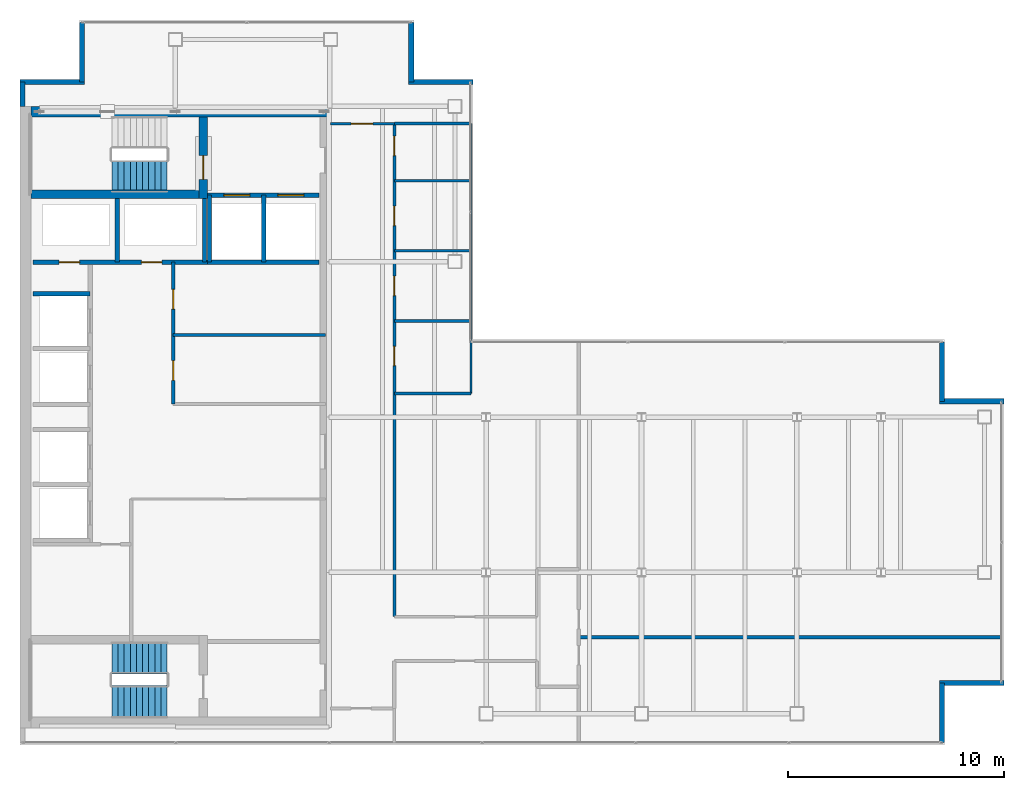
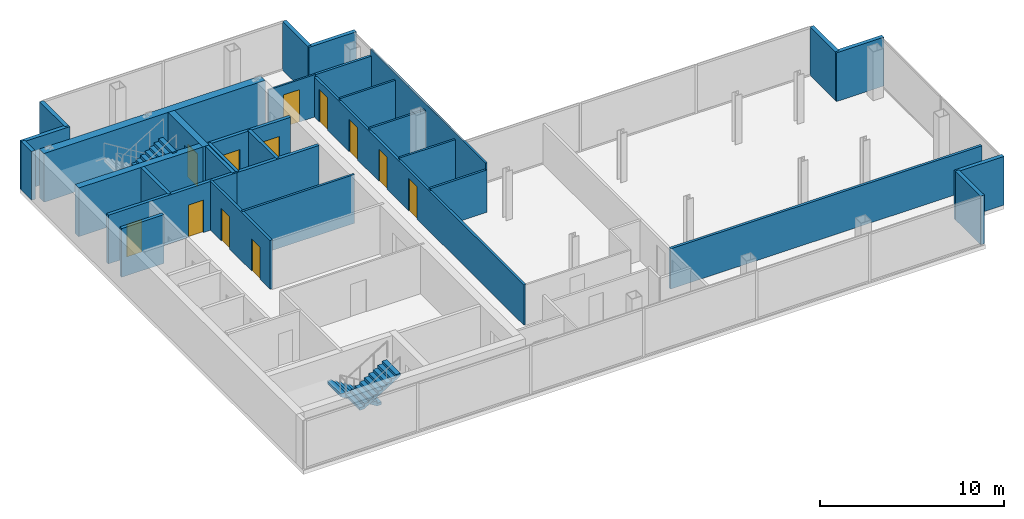
# One storey, part 22 of 24: 31 walls, 12 doors, 3 stair flights, 12 openings, 2 elements without a shape of their own.
"""IFC4 building model written with IfcOpenShell, lengths in metres."""

from ifc_helpers import new_model, si_unit, direction, frame, frame_2d, origin, place, context, subcontext, project, spatial, polyline, rectangle, outline, extrude, material, layer, layer_set, type_object, element, fill, aggregate, save


model = new_model("IFC4")

# Units and contexts
model_context = context("Model", 3, precision=1e-05, world=origin(), true_north=direction((0.0, 1.0)))
body_context = subcontext(model_context, "Body", "Model", "MODEL_VIEW")
ifc_project = project(units=[si_unit("LENGTHUNIT", "METRE"), si_unit("AREAUNIT", "SQUARE_METRE"), si_unit("VOLUMEUNIT", "CUBIC_METRE"), si_unit("PLANEANGLEUNIT", "RADIAN"), si_unit("MASSUNIT", "GRAM", prefix="KILO")], contexts=[model_context])

# Site, building, storey
site_placement = place(None, origin())
site = spatial("IfcSite", under=ifc_project, at=site_placement, CompositionType="ELEMENT")
building_placement = place(site_placement, origin())
building = spatial("IfcBuilding", under=site, at=building_placement, Name="Cobrela Telecom Tower", CompositionType="ELEMENT")
storey_placement = place(building_placement, frame((0.0, 0.0, 244.64990234375)))
storey = spatial("IfcBuildingStorey", under=building, at=storey_placement, Name="L63", CompositionType="ELEMENT", Elevation=244.64990234375)

# Walls
ifc_material_1 = material(Name="Concrete C40/50", Category="concrete")
ifc_layer_1 = layer(ifc_material_1, 0.5)
ifc_layer_set_1 = layer_set([ifc_layer_1], Name="Concrete C40/50")
wall_type_1 = type_object("IfcWallType", Name="WALL-CORE-C40-500", PredefinedType="SHEAR", material=ifc_layer_set_1)
wall_1_placement = place(storey_placement, frame((0.5, 35.75, 0.0), z_axis=(0.0, 0.0, 1.0), x_axis=(1.0, 0.0, 0.0)))
element("IfcWall", 1, at=wall_1_placement, inside=storey, type_object=wall_type_1, Name="L63 North Core Shear Wall", PredefinedType="SHEAR", context=body_context, shape_type="SweptSolid", body=[
    extrude(rectangle(XDim=13.89990234375, YDim=0.5, at=frame_2d((6.949951171875, 0.0))), origin(), (0.0, 0.0, 1.0), 3.239990234375),
])
ifc_layer_2 = layer(ifc_material_1, 0.239990234375)
ifc_layer_set_2 = layer_set([ifc_layer_2], Name="Concrete C40/50")
wall_type_2 = type_object("IfcWallType", Name="WALL-EXT-300", PredefinedType="STANDARD", material=ifc_layer_set_2)
wall_2_placement = place(storey_placement, frame((0.1201171875, 36.0, 0.0), z_axis=(0.0, 0.0, 1.0), x_axis=(0.0, 1.0, 0.0)))
element("IfcWall", 2, at=wall_2_placement, inside=storey, type_object=wall_type_2, Name="L63 Insulated Facade Wall 02", PredefinedType="STANDARD", context=body_context, shape_type="SweptSolid", body=[
    extrude(rectangle(XDim=1.1298828125, YDim=0.239990234375, at=frame_2d((0.56494140625, 0.0))), origin(), (0.0, 0.0, 1.0), 3.239990234375),
])
wall_3_placement = place(storey_placement, frame((0.0, 37.1298828125, 0.0), z_axis=(0.0, 0.0, 1.0), x_axis=(1.0, 0.0, 0.0)))
element("IfcWall", 3, at=wall_3_placement, inside=storey, type_object=wall_type_2, Name="L63 Insulated Facade Wall 03", PredefinedType="STANDARD", context=body_context, shape_type="SweptSolid", body=[
    extrude(rectangle(XDim=2.989990234375, YDim=0.239990234375, at=frame_2d((1.4951171875, 0.0))), origin(), (0.0, 0.0, 1.0), 3.239990234375),
])
for number, where, z_axis, x_axis, name in (
    (4, (2.8701171875, 37.1298828125, 0.0), (0.0, 0.0, 1.0), (0.0, 1.0, 0.0), "L63 Insulated Facade Wall 04"),
    (5, (18.1298828125, 39.8798828125, 0.0), (0.0, 0.0, 1.0), (0.0, -1.0, 0.0), "L63 Insulated Facade Wall 06"),
):
    element("IfcWall", number, at=place(storey_placement, frame(where, z_axis=z_axis, x_axis=x_axis)), inside=storey, type_object=wall_type_2, Name=name, PredefinedType="STANDARD", context=body_context, shape_type="SweptSolid", body=[
        extrude(rectangle(XDim=2.75, YDim=0.239990234375, at=frame_2d((1.375, 0.0))), origin(), (0.0, 0.0, 1.0), 3.239990234375),
    ])
wall_4_placement = place(storey_placement, frame((18.010009765625, 37.1298828125, 0.0), z_axis=(0.0, 0.0, 1.0), x_axis=(1.0, 0.0, 0.0)))
element("IfcWall", 6, at=wall_4_placement, inside=storey, type_object=wall_type_2, Name="L63 Insulated Facade Wall 07", PredefinedType="STANDARD", context=body_context, shape_type="SweptSolid", body=[
    extrude(rectangle(XDim=2.989990234375, YDim=0.239990234375, at=frame_2d((1.4951171875, 0.0))), origin(), (0.0, 0.0, 1.0), 3.239990234375),
])
wall_5_placement = place(storey_placement, frame((42.72998046875, 25.080078125, 0.0), z_axis=(0.0, 0.0, 1.0), x_axis=(0.0, -1.0, 0.0)))
element("IfcWall", 7, at=wall_5_placement, inside=storey, type_object=wall_type_2, Name="L63 Insulated Facade Wall 10", PredefinedType="STANDARD", context=body_context, shape_type="SweptSolid", body=[
    extrude(rectangle(XDim=2.75, YDim=0.239990234375, at=frame_2d((1.375, 0.0))), origin(), (0.0, 0.0, 1.0), 3.239990234375),
])
for number, where, z_axis, x_axis, name in (
    (8, (42.610107421875, 22.330078125, 0.0), (0.0, 0.0, 1.0), (1.0, 0.0, 0.0), "L63 Insulated Facade Wall 11"),
    (9, (45.60009765625, 9.27001953125, 0.0), (0.0, 0.0, 1.0), (-1.0, 0.0, 0.0), "L63 Insulated Facade Wall 13"),
):
    element("IfcWall", number, at=place(storey_placement, frame(where, z_axis=z_axis, x_axis=x_axis)), inside=storey, type_object=wall_type_2, Name=name, PredefinedType="STANDARD", context=body_context, shape_type="SweptSolid", body=[
        extrude(rectangle(XDim=2.989990234375, YDim=0.239990234375, at=frame_2d((1.4951171875, 0.0))), origin(), (0.0, 0.0, 1.0), 3.239990234375),
    ])
wall_6_placement = place(storey_placement, frame((42.72998046875, 9.27001953125, 0.0), z_axis=(0.0, 0.0, 1.0), x_axis=(0.0, -1.0, 0.0)))
element("IfcWall", 10, at=wall_6_placement, inside=storey, type_object=wall_type_2, Name="L63 Insulated Facade Wall 14", PredefinedType="STANDARD", context=body_context, shape_type="SweptSolid", body=[
    extrude(rectangle(XDim=2.75, YDim=0.239990234375, at=frame_2d((1.375, 0.0))), origin(), (0.0, 0.0, 1.0), 3.239990234375),
])

# Wall, opening, door
ifc_material_2 = material(Name="Fire-Rated Gypsum Plasterboard")
ifc_layer_3 = layer(ifc_material_2, 0.110107421875)
ifc_layer_set_3 = layer_set([ifc_layer_3], Name="Fire-Rated Gypsum Plasterboard")
wall_type_3 = type_object("IfcWallType", Name="WALL-PART-110", PredefinedType="PARTITIONING", material=ifc_layer_set_3)
wall_7_placement = place(storey_placement, frame((14.39990234375, 35.199951171875, 0.0), z_axis=(0.0, 0.0, 1.0), x_axis=(1.0, 0.0, 0.0)))
wall_7 = element("IfcWall", 11, at=wall_7_placement, inside=storey, type_object=wall_type_3, Name="L63 Interior Partition W-C-N0", PredefinedType="PARTITIONING", context=body_context, shape_type="SweptSolid", body=[
    extrude(rectangle(XDim=2.9501953125, YDim=0.110107421875, at=frame_2d((1.47509765625, 0.0))), origin(), (0.0, 0.0, 1.0), 2.80810546875),
])
opening_1_placement = place(wall_7_placement, frame((0.949951171875, 0.0, 0.0)))
opening_1 = element("IfcOpeningElement", 12, at=opening_1_placement, cuts=wall_7, Name="Opening DR-31", PredefinedType="OPENING", context=body_context, shape_type="SweptSolid", body=[
    extrude(rectangle(XDim=1.0, YDim=2.14990234375, at=frame_2d((0.5, 1.074951171875))), frame((0.0, 0.06689453125, 0.0), z_axis=(0.0, -1.0, 0.0), x_axis=(1.0, 0.0, 0.0)), (0.0, 0.0, 1.0), 0.134033203125),
])
ifc_material_3 = material(Name="Solid Engineered Oak Timber", Category="wood")
door_type_1 = type_object("IfcDoorType", Name="DOOR-INT-1000", OperationType="SINGLE_SWING_LEFT", PredefinedType="DOOR", material=ifc_material_3)
door_1_placement = place(opening_1_placement, origin())
door_1 = element("IfcDoor", 13, at=door_1_placement, inside=storey, type_object=door_type_1, Name="L63 Door DR-31", OperationType="SINGLE_SWING_LEFT", OverallHeight=2.14990234375, OverallWidth=1.0, PredefinedType="DOOR", context=body_context, shape_type="SweptSolid", body=[
    extrude(rectangle(XDim=1.0, YDim=2.14990234375, at=frame_2d((0.5, 1.074951171875))), frame((0.0, 0.02490234375, 0.0), z_axis=(0.0, -1.0, 0.0), x_axis=(1.0, 0.0, 0.0)), (0.0, 0.0, 1.0), 0.050048828125),
])
fill(opening_1, door_1)

# Walls
wall_8_placement = place(storey_placement, frame((20.89990234375, 22.699951171875, 0.0), z_axis=(0.0, 0.0, 1.0), x_axis=(0.0, 1.0, 0.0)))
element("IfcWall", 14, at=wall_8_placement, inside=storey, type_object=wall_type_3, Name="L63 Interior Partition W-WC-E", PredefinedType="PARTITIONING", context=body_context, shape_type="SweptSolid", body=[
    extrude(rectangle(XDim=12.5, YDim=0.110107421875, at=frame_2d((6.25, 0.0))), origin(), (0.0, 0.0, 1.0), 3.239990234375),
])
ifc_layer_4 = layer(ifc_material_2, 0.125)
ifc_layer_set_4 = layer_set([ifc_layer_4], Name="Fire-Rated Gypsum Plasterboard")
wall_type_4 = type_object("IfcWallType", Name="WALL-PART-125", PredefinedType="PARTITIONING", material=ifc_layer_set_4)
for number, where, z_axis, x_axis, name in (
    (15, (17.35009765625, 26.050048828125, 0.0), (0.0, 0.0, 1.0), (1.0, 0.0, 0.0), "L63 Interior Partition W-WCD-1"),
    (16, (17.35009765625, 29.300048828125, 0.0), (0.0, 0.0, 1.0), (1.0, 0.0, 0.0), "L63 Interior Partition W-WCD-2"),
    (17, (17.35009765625, 32.550048828125, 0.0), (0.0, 0.0, 1.0), (1.0, 0.0, 0.0), "L63 Interior Partition W-WCD-3"),
):
    element("IfcWall", number, at=place(storey_placement, frame(where, z_axis=z_axis, x_axis=x_axis)), inside=storey, type_object=wall_type_4, Name=name, PredefinedType="PARTITIONING", context=body_context, shape_type="SweptSolid", body=[
        extrude(rectangle(XDim=3.5498046875, YDim=0.125, at=frame_2d((1.77490234375, 0.0))), origin(), (0.0, 0.0, 1.0), 2.80810546875),
    ])
ifc_layer_5 = layer(ifc_material_2, 0.135009765625)
ifc_layer_set_5 = layer_set([ifc_layer_5], Name="Fire-Rated Gypsum Plasterboard")
wall_type_5 = type_object("IfcWallType", Name="WALL-PART-135", PredefinedType="PARTITIONING", material=ifc_layer_set_5)
wall_9_placement = place(storey_placement, frame((7.10009765625, 25.39990234375, 0.0), z_axis=(0.0, 0.0, 1.0), x_axis=(1.0, 0.0, 0.0)))
element("IfcWall", 18, at=wall_9_placement, inside=storey, type_object=wall_type_5, Name="L63 Interior Partition CW-RECL-H", PredefinedType="PARTITIONING", context=body_context, shape_type="SweptSolid", body=[
    extrude(rectangle(XDim=7.0498046875, YDim=0.135009765625, at=frame_2d((3.52490234375, 0.0))), origin(), (0.0, 0.0, 1.0), 3.239990234375),
])
wall_10_placement = place(storey_placement, frame((17.35009765625, 22.699951171875, 0.0), z_axis=(0.0, 0.0, 1.0), x_axis=(1.0, 0.0, 0.0)))
element("IfcWall", 19, at=wall_10_placement, inside=storey, type_object=wall_type_5, Name="L63 Interior Partition W-WC-S", PredefinedType="PARTITIONING", context=body_context, shape_type="SweptSolid", body=[
    extrude(rectangle(XDim=3.5498046875, YDim=0.135009765625, at=frame_2d((1.77490234375, 0.0))), origin(), (0.0, 0.0, 1.0), 2.80810546875),
])

# Wall, openings, doors
ifc_layer_6 = layer(ifc_material_2, 0.14990234375)
ifc_layer_set_6 = layer_set([ifc_layer_6], Name="Fire-Rated Gypsum Plasterboard")
wall_type_6 = type_object("IfcWallType", Name="WALL-PART-150", PredefinedType="PARTITIONING", material=ifc_layer_set_6)
wall_11_placement = place(storey_placement, frame((17.35009765625, 12.35009765625, 0.0), z_axis=(0.0, 0.0, 1.0), x_axis=(0.0, 1.0, 0.0)))
wall_11 = element("IfcWall", 20, at=wall_11_placement, inside=storey, type_object=wall_type_6, Name="L63 Interior Partition W-C-E2", PredefinedType="PARTITIONING", context=body_context, shape_type="SweptSolid", body=[
    extrude(rectangle(XDim=22.849853515625, YDim=0.14990234375, at=frame_2d((11.4248046875, 0.0))), origin(), (0.0, 0.0, 1.0), 2.676025390625),
])
opening_2_placement = place(wall_11_placement, frame((11.6298828125, 0.0, 0.0)))
opening_2 = element("IfcOpeningElement", 21, at=opening_2_placement, cuts=wall_11, Name="Opening DR-41", PredefinedType="OPENING", context=body_context, shape_type="SweptSolid", body=[
    extrude(rectangle(XDim=0.89990234375, YDim=2.14990234375, at=frame_2d((0.449951171875, 1.074951171875))), frame((0.0, 0.0869140625, 0.0), z_axis=(0.0, -1.0, 0.0), x_axis=(1.0, 0.0, 0.0)), (0.0, 0.0, 1.0), 0.173828125),
])
opening_3_placement = place(wall_11_placement, frame((14.8798828125, 0.0, 0.0)))
opening_3 = element("IfcOpeningElement", 22, at=opening_3_placement, cuts=wall_11, Name="Opening DR-41", PredefinedType="OPENING", context=body_context, shape_type="SweptSolid", body=[
    extrude(rectangle(XDim=0.89990234375, YDim=2.14990234375, at=frame_2d((0.449951171875, 1.074951171875))), frame((0.0, 0.0869140625, 0.0), z_axis=(0.0, -1.0, 0.0), x_axis=(1.0, 0.0, 0.0)), (0.0, 0.0, 1.0), 0.173828125),
])
opening_4_placement = place(wall_11_placement, frame((18.1201171875, 0.0, 0.0)))
opening_4 = element("IfcOpeningElement", 23, at=opening_4_placement, cuts=wall_11, Name="Opening DR-41", PredefinedType="OPENING", context=body_context, shape_type="SweptSolid", body=[
    extrude(rectangle(XDim=0.89990234375, YDim=2.14990234375, at=frame_2d((0.449951171875, 1.074951171875))), frame((0.0, 0.0869140625, 0.0), z_axis=(0.0, -1.0, 0.0), x_axis=(1.0, 0.0, 0.0)), (0.0, 0.0, 1.0), 0.173828125),
])
opening_5_placement = place(wall_11_placement, frame((21.3701171875, 0.0, 0.0)))
opening_5 = element("IfcOpeningElement", 24, at=opening_5_placement, cuts=wall_11, Name="Opening DR-41", PredefinedType="OPENING", context=body_context, shape_type="SweptSolid", body=[
    extrude(rectangle(XDim=0.89990234375, YDim=2.14990234375, at=frame_2d((0.449951171875, 1.074951171875))), frame((0.0, 0.0869140625, 0.0), z_axis=(0.0, -1.0, 0.0), x_axis=(1.0, 0.0, 0.0)), (0.0, 0.0, 1.0), 0.173828125),
])
door_type_2 = type_object("IfcDoorType", Name="DOOR-INT-900", OperationType="SINGLE_SWING_LEFT", PredefinedType="DOOR", material=ifc_material_3)
door_2_placement = place(opening_2_placement, origin())
door_2 = element("IfcDoor", 25, at=door_2_placement, inside=storey, type_object=door_type_2, Name="L63 Door DR-41", OperationType="SINGLE_SWING_LEFT", OverallHeight=2.14990234375, OverallWidth=0.89990234375, PredefinedType="DOOR", context=body_context, shape_type="SweptSolid", body=[
    extrude(rectangle(XDim=0.89990234375, YDim=2.14990234375, at=frame_2d((0.449951171875, 1.074951171875))), frame((0.0, 0.02490234375, 0.0), z_axis=(0.0, -1.0, 0.0), x_axis=(1.0, 0.0, 0.0)), (0.0, 0.0, 1.0), 0.050048828125),
])
fill(opening_2, door_2)
door_3_placement = place(opening_3_placement, origin())
door_3 = element("IfcDoor", 26, at=door_3_placement, inside=storey, type_object=door_type_2, Name="L63 Door DR-41", OperationType="SINGLE_SWING_RIGHT", OverallHeight=2.14990234375, OverallWidth=0.89990234375, PredefinedType="DOOR", context=body_context, shape_type="SweptSolid", body=[
    extrude(rectangle(XDim=0.89990234375, YDim=2.14990234375, at=frame_2d((0.449951171875, 1.074951171875))), frame((0.0, 0.02490234375, 0.0), z_axis=(0.0, -1.0, 0.0), x_axis=(1.0, 0.0, 0.0)), (0.0, 0.0, 1.0), 0.050048828125),
])
fill(opening_3, door_3)
door_4_placement = place(opening_4_placement, origin())
door_4 = element("IfcDoor", 27, at=door_4_placement, inside=storey, type_object=door_type_2, Name="L63 Door DR-41", OperationType="SINGLE_SWING_LEFT", OverallHeight=2.14990234375, OverallWidth=0.89990234375, PredefinedType="DOOR", context=body_context, shape_type="SweptSolid", body=[
    extrude(rectangle(XDim=0.89990234375, YDim=2.14990234375, at=frame_2d((0.449951171875, 1.074951171875))), frame((0.0, 0.02490234375, 0.0), z_axis=(0.0, -1.0, 0.0), x_axis=(1.0, 0.0, 0.0)), (0.0, 0.0, 1.0), 0.050048828125),
])
fill(opening_4, door_4)
door_5_placement = place(opening_5_placement, origin())
door_5 = element("IfcDoor", 28, at=door_5_placement, inside=storey, type_object=door_type_2, Name="L63 Door DR-41", OperationType="SINGLE_SWING_RIGHT", OverallHeight=2.14990234375, OverallWidth=0.89990234375, PredefinedType="DOOR", context=body_context, shape_type="SweptSolid", body=[
    extrude(rectangle(XDim=0.89990234375, YDim=2.14990234375, at=frame_2d((0.449951171875, 1.074951171875))), frame((0.0, 0.02490234375, 0.0), z_axis=(0.0, -1.0, 0.0), x_axis=(1.0, 0.0, 0.0)), (0.0, 0.0, 1.0), 0.050048828125),
])
fill(opening_5, door_5)

# Wall
wall_12_placement = place(storey_placement, frame((17.35009765625, 35.199951171875, 0.0), z_axis=(0.0, 0.0, 1.0), x_axis=(1.0, 0.0, 0.0)))
element("IfcWall", 29, at=wall_12_placement, inside=storey, type_object=wall_type_6, Name="L63 Interior Partition W-NW-S", PredefinedType="PARTITIONING", context=body_context, shape_type="SweptSolid", body=[
    extrude(rectangle(XDim=3.52978515625, YDim=0.14990234375, at=frame_2d((1.764892578125, 0.0))), origin(), (0.0, 0.0, 1.0), 2.80810546875),
])

# Wall, openings, doors
ifc_layer_7 = layer(ifc_material_2, 0.159912109375)
ifc_layer_set_7 = layer_set([ifc_layer_7], Name="Fire-Rated Gypsum Plasterboard")
wall_type_7 = type_object("IfcWallType", Name="WALL-PART-160", PredefinedType="PARTITIONING", material=ifc_layer_set_7)
wall_13_placement = place(storey_placement, frame((7.10009765625, 22.199951171875, 0.0), z_axis=(0.0, 0.0, 1.0), x_axis=(0.0, 1.0, 0.0)))
wall_13 = element("IfcWall", 30, at=wall_13_placement, inside=storey, type_object=wall_type_7, Name="L63 Interior Partition CW-RECL-W", PredefinedType="PARTITIONING", context=body_context, shape_type="SweptSolid", body=[
    extrude(rectangle(XDim=6.580078125, YDim=0.159912109375, at=frame_2d((3.2900390625, 0.0))), origin(), (0.0, 0.0, 1.0), 3.239990234375),
])
opening_6_placement = place(wall_13_placement, frame((1.10009765625, 0.0, 0.0)))
opening_6 = element("IfcOpeningElement", 31, at=opening_6_placement, cuts=wall_13, Name="Opening DR-45", PredefinedType="OPENING", context=body_context, shape_type="SweptSolid", body=[
    extrude(rectangle(XDim=0.919921875, YDim=2.14990234375, at=frame_2d((0.4599609375, 1.074951171875))), frame((0.0, 0.091796875, 0.0), z_axis=(0.0, -1.0, 0.0), x_axis=(1.0, 0.0, 0.0)), (0.0, 0.0, 1.0), 0.183837890625),
])
opening_7_placement = place(wall_13_placement, frame((4.39990234375, 0.0, 0.0)))
opening_7 = element("IfcOpeningElement", 32, at=opening_7_placement, cuts=wall_13, Name="Opening DR-45", PredefinedType="OPENING", context=body_context, shape_type="SweptSolid", body=[
    extrude(rectangle(XDim=0.919921875, YDim=2.14990234375, at=frame_2d((0.4599609375, 1.074951171875))), frame((0.0, 0.091796875, 0.0), z_axis=(0.0, -1.0, 0.0), x_axis=(1.0, 0.0, 0.0)), (0.0, 0.0, 1.0), 0.183837890625),
])
door_type_3 = type_object("IfcDoorType", Name="DOOR-INT-920", OperationType="SINGLE_SWING_LEFT", PredefinedType="DOOR", material=ifc_material_3)
door_6_placement = place(opening_6_placement, origin())
door_6 = element("IfcDoor", 33, at=door_6_placement, inside=storey, type_object=door_type_3, Name="L63 Door DR-45", OperationType="SINGLE_SWING_RIGHT", OverallHeight=2.14990234375, OverallWidth=0.919921875, PredefinedType="DOOR", context=body_context, shape_type="SweptSolid", body=[
    extrude(rectangle(XDim=0.919921875, YDim=2.14990234375, at=frame_2d((0.4599609375, 1.074951171875))), frame((0.0, 0.02490234375, 0.0), z_axis=(0.0, -1.0, 0.0), x_axis=(1.0, 0.0, 0.0)), (0.0, 0.0, 1.0), 0.050048828125),
])
fill(opening_6, door_6)
door_7_placement = place(opening_7_placement, origin())
door_7 = element("IfcDoor", 34, at=door_7_placement, inside=storey, type_object=door_type_3, Name="L63 Door DR-45", OperationType="SINGLE_SWING_LEFT", OverallHeight=2.14990234375, OverallWidth=0.919921875, PredefinedType="DOOR", context=body_context, shape_type="SweptSolid", body=[
    extrude(rectangle(XDim=0.919921875, YDim=2.14990234375, at=frame_2d((0.4599609375, 1.074951171875))), frame((0.0, 0.02490234375, 0.0), z_axis=(0.0, -1.0, 0.0), x_axis=(1.0, 0.0, 0.0)), (0.0, 0.0, 1.0), 0.050048828125),
])
fill(opening_7, door_7)

# Wall
wall_14_placement = place(storey_placement, frame((25.89990234375, 11.39990234375, 0.0), z_axis=(0.0, 0.0, 1.0), x_axis=(1.0, 0.0, 0.0)))
element("IfcWall", 35, at=wall_14_placement, inside=storey, type_object=wall_type_7, Name="L63 Interior Partition W-FE-H", PredefinedType="PARTITIONING", context=body_context, shape_type="SweptSolid", body=[
    extrude(rectangle(XDim=19.580078125, YDim=0.159912109375, at=frame_2d((9.7900390625, 0.0))), origin(), (0.0, 0.0, 1.0), 2.676025390625),
])

# Wall, openings, doors
ifc_layer_8 = layer(ifc_material_2, 0.199951171875)
ifc_layer_set_8 = layer_set([ifc_layer_8], Name="Fire-Rated Gypsum Plasterboard")
wall_type_8 = type_object("IfcWallType", Name="WALL-SHAFT-200", PredefinedType="PARTITIONING", material=ifc_layer_set_8)
wall_15_placement = place(storey_placement, frame((8.699951171875, 31.8798828125, 0.0), z_axis=(0.0, 0.0, 1.0), x_axis=(1.0, 0.0, 0.0)))
wall_15 = element("IfcWall", 36, at=wall_15_placement, inside=storey, type_object=wall_type_8, Name="L63 Shaft Enclosure CW-FFL-S", PredefinedType="PARTITIONING", context=body_context, shape_type="SweptSolid", body=[
    extrude(rectangle(XDim=5.150146484375, YDim=0.199951171875, at=frame_2d((2.5751953125, 0.0))), origin(), (0.0, 0.0, 1.0), 3.239990234375),
])
opening_8_placement = place(wall_15_placement, frame((0.75, 0.0, 0.0)))
opening_8 = element("IfcOpeningElement", 37, at=opening_8_placement, cuts=wall_15, Name="Opening LD-2", PredefinedType="OPENING", context=body_context, shape_type="SweptSolid", body=[
    extrude(rectangle(XDim=1.199951171875, YDim=2.199951171875, at=frame_2d((0.60009765625, 1.10009765625))), frame((0.0, 0.11181640625, 0.0), z_axis=(0.0, -1.0, 0.0), x_axis=(1.0, 0.0, 0.0)), (0.0, 0.0, 1.0), 0.223876953125),
])
opening_9_placement = place(wall_15_placement, frame((3.25, 0.0, 0.0)))
opening_9 = element("IfcOpeningElement", 38, at=opening_9_placement, cuts=wall_15, Name="Opening LD-2", PredefinedType="OPENING", context=body_context, shape_type="SweptSolid", body=[
    extrude(rectangle(XDim=1.199951171875, YDim=2.199951171875, at=frame_2d((0.60009765625, 1.10009765625))), frame((0.0, 0.11181640625, 0.0), z_axis=(0.0, -1.0, 0.0), x_axis=(1.0, 0.0, 0.0)), (0.0, 0.0, 1.0), 0.223876953125),
])
ifc_material_4 = material(Name="Steel ASTM A36", Category="steel")
door_type_4 = type_object("IfcDoorType", Name="DOOR-LD-FFL", OperationType="SINGLE_SWING_LEFT", PredefinedType="DOOR", material=ifc_material_4)
door_8_placement = place(opening_8_placement, origin())
door_8 = element("IfcDoor", 39, at=door_8_placement, inside=storey, type_object=door_type_4, Name="L63 Lift Landing Door LD-2", OperationType="DOUBLE_DOOR_SLIDING", OverallHeight=2.199951171875, OverallWidth=1.199951171875, PredefinedType="DOOR", context=body_context, shape_type="SweptSolid", body=[
    extrude(rectangle(XDim=1.199951171875, YDim=2.199951171875, at=frame_2d((0.60009765625, 1.10009765625))), frame((0.0, 0.02490234375, 0.0), z_axis=(0.0, -1.0, 0.0), x_axis=(1.0, 0.0, 0.0)), (0.0, 0.0, 1.0), 0.050048828125),
])
fill(opening_8, door_8)
door_9_placement = place(opening_9_placement, origin())
door_9 = element("IfcDoor", 40, at=door_9_placement, inside=storey, type_object=door_type_4, Name="L63 Lift Landing Door LD-2", OperationType="DOUBLE_DOOR_SLIDING", OverallHeight=2.199951171875, OverallWidth=1.199951171875, PredefinedType="DOOR", context=body_context, shape_type="SweptSolid", body=[
    extrude(rectangle(XDim=1.199951171875, YDim=2.199951171875, at=frame_2d((0.60009765625, 1.10009765625))), frame((0.0, 0.02490234375, 0.0), z_axis=(0.0, -1.0, 0.0), x_axis=(1.0, 0.0, 0.0)), (0.0, 0.0, 1.0), 0.050048828125),
])
fill(opening_9, door_9)

# Walls
wall_16_placement = place(storey_placement, frame((8.699951171875, 28.780029296875, 0.0), z_axis=(0.0, 0.0, 1.0), x_axis=(1.0, 0.0, 0.0)))
element("IfcWall", 41, at=wall_16_placement, inside=storey, type_object=wall_type_8, Name="L63 Shaft Enclosure CW-FFL-S2", PredefinedType="PARTITIONING", context=body_context, shape_type="SweptSolid", body=[
    extrude(rectangle(XDim=5.150146484375, YDim=0.199951171875, at=frame_2d((2.5751953125, 0.0))), origin(), (0.0, 0.0, 1.0), 3.239990234375),
])
for number, where, z_axis, x_axis, name in (
    (42, (8.780029296875, 28.780029296875, 0.0), (0.0, 0.0, 1.0), (0.0, 1.0, 0.0), "L63 Shaft Enclosure CW-FFL-W"),
    (43, (11.300048828125, 28.780029296875, 0.0), (0.0, 0.0, 1.0), (0.0, 1.0, 0.0), "L63 Shaft Enclosure CW-FFL-M"),
):
    element("IfcWall", number, at=place(storey_placement, frame(where, z_axis=z_axis, x_axis=x_axis)), inside=storey, type_object=wall_type_8, Name=name, PredefinedType="PARTITIONING", context=body_context, shape_type="SweptSolid", body=[
        extrude(rectangle(XDim=3.099853515625, YDim=0.199951171875, at=frame_2d((1.5498046875, 0.0))), origin(), (0.0, 0.0, 1.0), 3.239990234375),
    ])

# Wall, openings, doors
wall_17_placement = place(storey_placement, frame((0.60009765625, 28.780029296875, 0.0), z_axis=(0.0, 0.0, 1.0), x_axis=(1.0, 0.0, 0.0)))
wall_17 = element("IfcWall", 44, at=wall_17_placement, inside=storey, type_object=wall_type_8, Name="L63 Shaft Enclosure CW-RIS-S", PredefinedType="PARTITIONING", context=body_context, shape_type="SweptSolid", body=[
    extrude(rectangle(XDim=8.179931640625, YDim=0.199951171875, at=frame_2d((4.08984375, 0.0))), origin(), (0.0, 0.0, 1.0), 3.239990234375),
])
opening_10_placement = place(wall_17_placement, frame((1.2099609375, 0.0, 0.0)))
opening_10 = element("IfcOpeningElement", 45, at=opening_10_placement, cuts=wall_17, Name="Opening DR-65", PredefinedType="OPENING", context=body_context, shape_type="SweptSolid", body=[
    extrude(rectangle(XDim=0.949951171875, YDim=2.14990234375, at=frame_2d((0.47509765625, 1.074951171875))), frame((0.0, 0.11181640625, 0.0), z_axis=(0.0, -1.0, 0.0), x_axis=(1.0, 0.0, 0.0)), (0.0, 0.0, 1.0), 0.223876953125),
])
opening_11_placement = place(wall_17_placement, frame((5.030029296875, 0.0, 0.0)))
opening_11 = element("IfcOpeningElement", 46, at=opening_11_placement, cuts=wall_17, Name="Opening DR-65", PredefinedType="OPENING", context=body_context, shape_type="SweptSolid", body=[
    extrude(rectangle(XDim=0.949951171875, YDim=2.14990234375, at=frame_2d((0.47509765625, 1.074951171875))), frame((0.0, 0.11181640625, 0.0), z_axis=(0.0, -1.0, 0.0), x_axis=(1.0, 0.0, 0.0)), (0.0, 0.0, 1.0), 0.223876953125),
])
door_type_5 = type_object("IfcDoorType", Name="DOOR-FD60-950", OperationType="SINGLE_SWING_LEFT", PredefinedType="DOOR", material=ifc_material_4)
door_10_placement = place(opening_10_placement, origin())
door_10 = element("IfcDoor", 47, at=door_10_placement, inside=storey, type_object=door_type_5, Name="L63 Door DR-65", OperationType="SINGLE_SWING_LEFT", OverallHeight=2.14990234375, OverallWidth=0.949951171875, PredefinedType="DOOR", context=body_context, shape_type="SweptSolid", body=[
    extrude(rectangle(XDim=0.949951171875, YDim=2.14990234375, at=frame_2d((0.47509765625, 1.074951171875))), frame((0.0, 0.02490234375, 0.0), z_axis=(0.0, -1.0, 0.0), x_axis=(1.0, 0.0, 0.0)), (0.0, 0.0, 1.0), 0.050048828125),
])
fill(opening_10, door_10)
door_11_placement = place(opening_11_placement, origin())
door_11 = element("IfcDoor", 48, at=door_11_placement, inside=storey, type_object=door_type_5, Name="L63 Door DR-65", OperationType="SINGLE_SWING_RIGHT", OverallHeight=2.14990234375, OverallWidth=0.949951171875, PredefinedType="DOOR", context=body_context, shape_type="SweptSolid", body=[
    extrude(rectangle(XDim=0.949951171875, YDim=2.14990234375, at=frame_2d((0.47509765625, 1.074951171875))), frame((0.0, 0.02490234375, 0.0), z_axis=(0.0, -1.0, 0.0), x_axis=(1.0, 0.0, 0.0)), (0.0, 0.0, 1.0), 0.050048828125),
])
fill(opening_11, door_11)

# Walls
for number, where, z_axis, x_axis, name in (
    (49, (4.5, 28.780029296875, 0.0), (0.0, 0.0, 1.0), (0.0, 1.0, 0.0), "L63 Shaft Enclosure CW-RIS-M"),
    (50, (8.550048828125, 28.780029296875, 0.0), (0.0, 0.0, 1.0), (0.0, 1.0, 0.0), "L63 Shaft Enclosure CW-RIS-E"),
):
    element("IfcWall", number, at=place(storey_placement, frame(where, z_axis=z_axis, x_axis=x_axis)), inside=storey, type_object=wall_type_8, Name=name, PredefinedType="PARTITIONING", context=body_context, shape_type="SweptSolid", body=[
        extrude(rectangle(XDim=2.93994140625, YDim=0.199951171875, at=frame_2d((1.469970703125, 0.0))), origin(), (0.0, 0.0, 1.0), 3.239990234375),
    ])
wall_18_placement = place(storey_placement, frame((0.60009765625, 27.320068359375, 0.0), z_axis=(0.0, 0.0, 1.0), x_axis=(1.0, 0.0, 0.0)))
element("IfcWall", 51, at=wall_18_placement, inside=storey, type_object=wall_type_8, Name="L63 Shaft Enclosure CW-PLH-TOP", PredefinedType="PARTITIONING", context=body_context, shape_type="SweptSolid", body=[
    extrude(rectangle(XDim=2.64990234375, YDim=0.199951171875, at=frame_2d((1.324951171875, 0.0))), origin(), (0.0, 0.0, 1.0), 3.239990234375),
])
ifc_layer_9 = layer(ifc_material_1, 0.39990234375)
ifc_layer_set_9 = layer_set([ifc_layer_9], Name="Concrete C40/50")
wall_type_9 = type_object("IfcWallType", Name="WALL-SHAFT-C40-400", PredefinedType="SHEAR", material=ifc_layer_set_9)
wall_19_placement = place(storey_placement, frame((0.5, 31.919921875, 0.0), z_axis=(0.0, 0.0, 1.0), x_axis=(1.0, 0.0, 0.0)))
element("IfcWall", 52, at=wall_19_placement, inside=storey, type_object=wall_type_9, Name="L63 North Stair Shear Wall", PredefinedType="SHEAR", context=body_context, shape_type="SweptSolid", body=[
    extrude(rectangle(XDim=7.800048828125, YDim=0.39990234375, at=frame_2d((3.89990234375, 0.0))), origin(), (0.0, 0.0, 1.0), 3.239990234375),
])

# Wall, opening, door
wall_20_placement = place(storey_placement, frame((8.5, 31.719970703125, 0.0), z_axis=(0.0, 0.0, 1.0), x_axis=(0.0, 1.0, 0.0)))
wall_20 = element("IfcWall", 53, at=wall_20_placement, inside=storey, type_object=wall_type_9, Name="L63 North Stair Lobby Shear Wall", PredefinedType="SHEAR", context=body_context, shape_type="SweptSolid", body=[
    extrude(rectangle(XDim=3.780029296875, YDim=0.39990234375, at=frame_2d((1.89013671875, 0.0))), origin(), (0.0, 0.0, 1.0), 3.239990234375),
])
opening_12_placement = place(wall_20_placement, frame((0.89990234375, 0.0, 0.0)))
opening_12 = element("IfcOpeningElement", 54, at=opening_12_placement, cuts=wall_20, Name="Opening DR-59", PredefinedType="OPENING", context=body_context, shape_type="SweptSolid", body=[
    extrude(rectangle(XDim=1.10009765625, YDim=2.14990234375, at=frame_2d((0.550048828125, 1.074951171875))), frame((0.0, 0.2119140625, 0.0), z_axis=(0.0, -1.0, 0.0), x_axis=(1.0, 0.0, 0.0)), (0.0, 0.0, 1.0), 0.423828125),
])
door_type_6 = type_object("IfcDoorType", Name="DOOR-FD60-1100", OperationType="SINGLE_SWING_LEFT", PredefinedType="DOOR", material=ifc_material_4)
door_12_placement = place(opening_12_placement, origin())
door_12 = element("IfcDoor", 55, at=door_12_placement, inside=storey, type_object=door_type_6, Name="L63 Door DR-59", OperationType="SINGLE_SWING_RIGHT", OverallHeight=2.14990234375, OverallWidth=1.10009765625, PredefinedType="DOOR", context=body_context, shape_type="SweptSolid", body=[
    extrude(rectangle(XDim=1.10009765625, YDim=2.14990234375, at=frame_2d((0.550048828125, 1.074951171875))), frame((0.0, 0.02490234375, 0.0), z_axis=(0.0, -1.0, 0.0), x_axis=(1.0, 0.0, 0.0)), (0.0, 0.0, 1.0), 0.050048828125),
])
fill(opening_12, door_12)

# Stair, stair flight
stair_type = type_object("IfcStairType", Name="STAIR-CORE", PredefinedType="HALF_TURN_STAIR", material=ifc_material_1)
stair_1_placement = place(storey_placement, origin())
stair_1 = element("IfcStair", 56, at=stair_1_placement, inside=storey, type_object=stair_type, Name="L63 Smokeproof Exit Stair ST1", PredefinedType="HALF_TURN_STAIR")
stair_flight_type = type_object("IfcStairFlightType", Name="FLIGHT-CORE", PredefinedType="STRAIGHT", material=ifc_material_1)
stair_flight_1_placement = place(storey_placement, frame((4.2548828125, 32.75, 1.75), z_axis=(0.0, 0.0, 1.0), x_axis=(1.0, 0.0, 0.0)))
stair_flight_1 = element("IfcStairFlight", 57, at=stair_flight_1_placement, type_object=stair_flight_type, Name="ST1 flight 2", NumberOfRisers=10, NumberOfTreads=9, PredefinedType="STRAIGHT", RiserHeight=0.175, TreadLength=0.285, context=body_context, shape_type="SweptSolid", body=[
    extrude(outline(polyline([(0.0, 0.0), (0.0, 0.175048828125), (0.284912109375, 0.175048828125), (0.284912109375, 0.35009765625), (0.570068359375, 0.35009765625), (0.570068359375, 0.52490234375), (0.85498046875, 0.52490234375), (0.85498046875, 0.699951171875), (1.139892578125, 0.699951171875), (1.139892578125, 0.875), (1.425048828125, 0.875), (1.425048828125, 1.050048828125), (1.7099609375, 1.050048828125), (1.7099609375, 1.22509765625), (1.9951171875, 1.22509765625), (1.9951171875, 1.39990234375), (2.280029296875, 1.39990234375), (2.280029296875, 1.574951171875), (2.56494140625, 1.574951171875), (2.56494140625, 1.75), (2.56494140625, 1.399169921875), (0.286376953125, 0.0), (0.0, 0.0)])), frame((0.0, 0.75, 0.0), z_axis=(0.0, -1.0, 0.0), x_axis=(1.0, 0.0, 0.0)), (0.0, 0.0, 1.0), 1.5),
])
aggregate(stair_1, [stair_flight_1])

# Stair, stair flights
stair_2_placement = place(storey_placement, origin())
stair_2 = element("IfcStair", 58, at=stair_2_placement, inside=storey, type_object=stair_type, Name="L63 Smokeproof Exit Stair ST2", PredefinedType="HALF_TURN_STAIR")
stair_flight_2_placement = place(storey_placement, frame((6.820068359375, 10.449951171875, 0.0), z_axis=(0.0, 0.0, 1.0), x_axis=(-1.0, 0.0, 0.0)))
stair_flight_2 = element("IfcStairFlight", 59, at=stair_flight_2_placement, type_object=stair_flight_type, Name="ST2 flight 1", NumberOfRisers=10, NumberOfTreads=9, PredefinedType="STRAIGHT", RiserHeight=0.175, TreadLength=0.285, context=body_context, shape_type="SweptSolid", body=[
    extrude(outline(polyline([(0.0, 0.0), (0.0, 0.175048828125), (0.284912109375, 0.175048828125), (0.284912109375, 0.35009765625), (0.570068359375, 0.35009765625), (0.570068359375, 0.52490234375), (0.85498046875, 0.52490234375), (0.85498046875, 0.699951171875), (1.139892578125, 0.699951171875), (1.139892578125, 0.875), (1.425048828125, 0.875), (1.425048828125, 1.050048828125), (1.7099609375, 1.050048828125), (1.7099609375, 1.22509765625), (1.9951171875, 1.22509765625), (1.9951171875, 1.39990234375), (2.280029296875, 1.39990234375), (2.280029296875, 1.574951171875), (2.56494140625, 1.574951171875), (2.56494140625, 1.75), (2.56494140625, 1.399169921875), (0.286376953125, 0.0), (0.0, 0.0)])), frame((0.0, 0.75, 0.0), z_axis=(0.0, -1.0, 0.0), x_axis=(1.0, 0.0, 0.0)), (0.0, 0.0, 1.0), 1.5),
])
stair_flight_3_placement = place(storey_placement, frame((4.2548828125, 8.39990234375, 1.75), z_axis=(0.0, 0.0, 1.0), x_axis=(1.0, 0.0, 0.0)))
stair_flight_3 = element("IfcStairFlight", 60, at=stair_flight_3_placement, type_object=stair_flight_type, Name="ST2 flight 2", NumberOfRisers=10, NumberOfTreads=9, PredefinedType="STRAIGHT", RiserHeight=0.175, TreadLength=0.285, context=body_context, shape_type="SweptSolid", body=[
    extrude(outline(polyline([(0.0, 0.0), (0.0, 0.175048828125), (0.284912109375, 0.175048828125), (0.284912109375, 0.35009765625), (0.570068359375, 0.35009765625), (0.570068359375, 0.52490234375), (0.85498046875, 0.52490234375), (0.85498046875, 0.699951171875), (1.139892578125, 0.699951171875), (1.139892578125, 0.875), (1.425048828125, 0.875), (1.425048828125, 1.050048828125), (1.7099609375, 1.050048828125), (1.7099609375, 1.22509765625), (1.9951171875, 1.22509765625), (1.9951171875, 1.39990234375), (2.280029296875, 1.39990234375), (2.280029296875, 1.574951171875), (2.56494140625, 1.574951171875), (2.56494140625, 1.75), (2.56494140625, 1.399169921875), (0.286376953125, 0.0), (0.0, 0.0)])), frame((0.0, 0.75, 0.0), z_axis=(0.0, -1.0, 0.0), x_axis=(1.0, 0.0, 0.0)), (0.0, 0.0, 1.0), 1.5),
])
aggregate(stair_2, [stair_flight_2, stair_flight_3])

save(model, "model.ifc")
